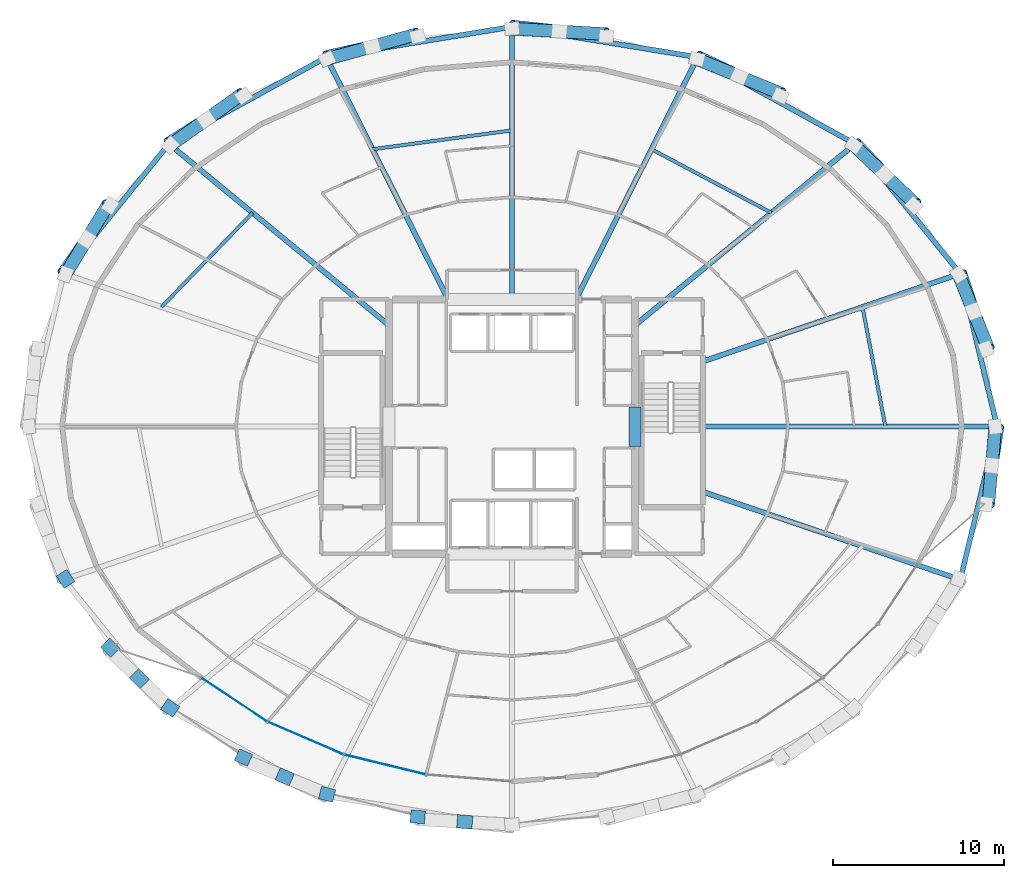
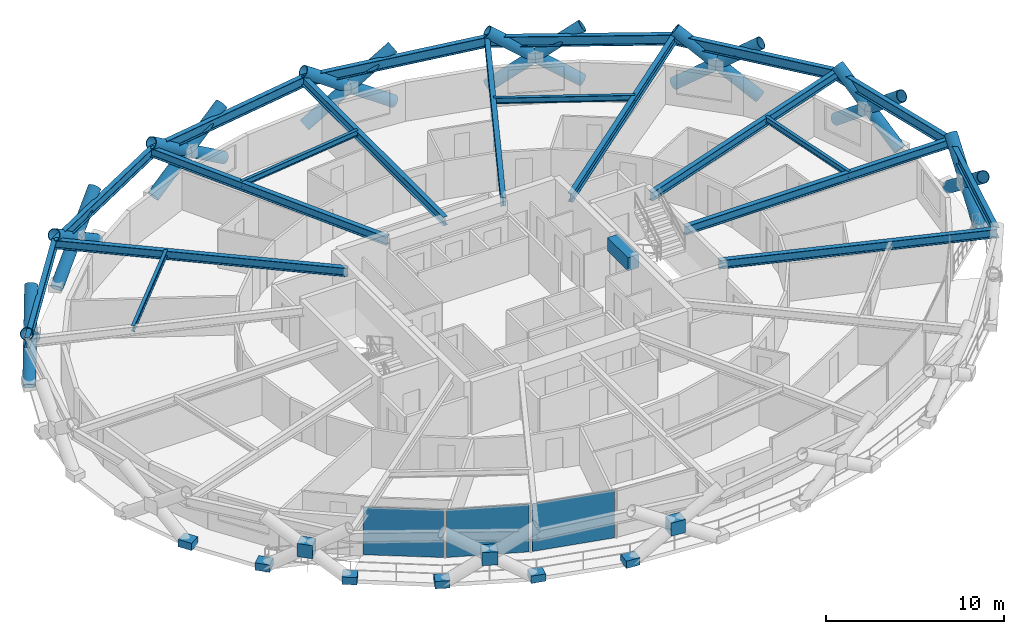
# One storey, part 12 of 20: 24 members, 21 beams, 12 plates, 1 element without a shape of its own.
"""IFC4 building model written with IfcOpenShell, lengths in metres."""

from ifc_helpers import new_model, si_unit, direction, frame, origin, origin_2d, place, context, subcontext, project, spatial, rectangle, hollow_circle, i_section, extrude, material, layer, layer_set, material_profile, profile_set, type_object, element, aggregate, save


model = new_model("IFC4")

# Units and contexts
model_context = context("Model", 3, precision=1e-05, world=origin(), true_north=direction((0.0, 1.0)))
body_context = subcontext(model_context, "Body", "Model", "MODEL_VIEW")
ifc_project = project(units=[si_unit("LENGTHUNIT", "METRE"), si_unit("AREAUNIT", "SQUARE_METRE"), si_unit("VOLUMEUNIT", "CUBIC_METRE"), si_unit("PLANEANGLEUNIT", "RADIAN"), si_unit("MASSUNIT", "GRAM", prefix="KILO")], contexts=[model_context])

# Site, building, storey
site_placement = place(None, origin())
site = spatial("IfcSite", under=ifc_project, at=site_placement, CompositionType="ELEMENT")
building_placement = place(site_placement, origin())
building = spatial("IfcBuilding", under=site, at=building_placement, Name="Veldorina Hangang Commons", CompositionType="ELEMENT")
storey_placement = place(building_placement, frame((0.0, 0.0, 48.39990234375)))
storey = spatial("IfcBuildingStorey", under=building, at=storey_placement, Name="L11", CompositionType="ELEMENT", Elevation=48.39990234375)

# Beams
ifc_material_1 = material(Name="Concrete C70/85", Category="concrete")
ifc_material_profile_1 = material_profile(ifc_material_1, rectangle(XDim=0.699951171875, YDim=0.89990234375, at=origin_2d()), Name="RC-CB-700x900")
ifc_profile_set_1 = profile_set([ifc_material_profile_1], Name="Concrete C70/85")
beam_type_1 = type_object("IfcBeamType", Name="BM-CB900", PredefinedType="LINTEL", material=ifc_profile_set_1)
beam_1_placement = place(storey_placement, frame((39.199951171875, 22.85009765625, 2.89013671875), z_axis=(0.0, 1.0, 0.0), x_axis=(-1.0, 0.0, 0.0)))
element("IfcBeam", 1, at=beam_1_placement, inside=storey, type_object=beam_type_1, Name="L11 E core coupling lintel beam", PredefinedType="LINTEL", context=body_context, shape_type="SweptSolid", body=[
    extrude(rectangle(XDim=0.699951171875, YDim=0.89990234375, at=origin_2d()), origin(), (0.0, 0.0, 1.0), 2.2998046875),
])
ifc_material_2 = material(Name="Steel SM460-TMC", Category="steel")
ifc_material_profile_2 = material_profile(ifc_material_2, i_section(OverallWidth=0.300048828125, OverallDepth=0.587890625, WebThickness=0.011962890625, FlangeThickness=0.02001953125, FilletRadius=0.01806640625, at=origin_2d()), Name="H-588x300x12x20")
ifc_profile_set_2 = profile_set([ifc_material_profile_2], Name="Steel SM460-TMC")
beam_type_2 = type_object("IfcBeamType", Name="BM-FG588", PredefinedType="BEAM", material=ifc_profile_set_2)
beam_2_placement = place(storey_placement, frame((43.179931640625, 24.0, 3.046142578125), z_axis=(1.0, 0.0, 0.0), x_axis=(0.0, 1.0, 0.0)))
element("IfcBeam", 2, at=beam_2_placement, inside=storey, type_object=beam_type_2, Name="L11 radial floor girder 01", PredefinedType="BEAM", context=body_context, shape_type="SweptSolid", body=[
    extrude(i_section(OverallWidth=0.300048828125, OverallDepth=0.587890625, WebThickness=0.011962890625, FlangeThickness=0.02001953125, FilletRadius=0.01806640625, at=origin_2d()), origin(), (0.0, 0.0, 1.0), 17.232177734375),
])
beam_3_placement = place(storey_placement, frame((43.179931640625, 27.81591796875, 3.046142578125), z_axis=(0.946389646678, 0.323027300178, 0.0), x_axis=(-0.323027300178, 0.946389646678, 0.0)))
element("IfcBeam", 3, at=beam_3_placement, inside=storey, type_object=beam_type_2, Name="L11 radial floor girder 02", PredefinedType="BEAM", context=body_context, shape_type="SweptSolid", body=[
    extrude(i_section(OverallWidth=0.300048828125, OverallDepth=0.587890625, WebThickness=0.011962890625, FlangeThickness=0.02001953125, FilletRadius=0.01806640625, at=origin_2d()), origin(), (0.0, 0.0, 1.0), 15.9228515625),
])
beam_4_placement = place(storey_placement, frame((39.199951171875, 29.932861328125, 3.046142578125), z_axis=(0.771747509972, 0.635929069042, 0.0), x_axis=(-0.635929069042, 0.771747509972, 0.0)))
element("IfcBeam", 4, at=beam_4_placement, inside=storey, type_object=beam_type_2, Name="L11 radial floor girder 03", PredefinedType="BEAM", context=body_context, shape_type="SweptSolid", body=[
    extrude(i_section(OverallWidth=0.300048828125, OverallDepth=0.587890625, WebThickness=0.011962890625, FlangeThickness=0.02001953125, FilletRadius=0.01806640625, at=origin_2d()), origin(), (0.0, 0.0, 1.0), 16.702880859375),
])
beam_5_placement = place(storey_placement, frame((35.744873046875, 31.449951171875, 3.046142578125), z_axis=(0.449126234863, 0.893468312341, 0.0), x_axis=(-0.893468312341, 0.449126234863, 0.0)))
element("IfcBeam", 5, at=beam_5_placement, inside=storey, type_object=beam_type_2, Name="L11 radial floor girder 04", PredefinedType="BEAM", context=body_context, shape_type="SweptSolid", body=[
    extrude(i_section(OverallWidth=0.300048828125, OverallDepth=0.587890625, WebThickness=0.011962890625, FlangeThickness=0.02001953125, FilletRadius=0.01806640625, at=origin_2d()), origin(), (0.0, 0.0, 1.0), 15.87060546875),
])
beam_6_placement = place(storey_placement, frame((32.0, 31.449951171875, 3.046142578125), z_axis=(0.0, 1.0, 0.0), x_axis=(-1.0, 0.0, 0.0)))
element("IfcBeam", 6, at=beam_6_placement, inside=storey, type_object=beam_type_2, Name="L11 radial floor girder 05", PredefinedType="BEAM", context=body_context, shape_type="SweptSolid", body=[
    extrude(i_section(OverallWidth=0.300048828125, OverallDepth=0.587890625, WebThickness=0.011962890625, FlangeThickness=0.02001953125, FilletRadius=0.01806640625, at=origin_2d()), origin(), (0.0, 0.0, 1.0), 15.962158203125),
])
beam_7_placement = place(storey_placement, frame((28.255126953125, 31.449951171875, 3.046142578125), z_axis=(-0.449126234863, 0.893468312341, 0.0), x_axis=(-0.893468312341, -0.449126234863, 0.0)))
element("IfcBeam", 7, at=beam_7_placement, inside=storey, type_object=beam_type_2, Name="L11 radial floor girder 06", PredefinedType="BEAM", context=body_context, shape_type="SweptSolid", body=[
    extrude(i_section(OverallWidth=0.300048828125, OverallDepth=0.587890625, WebThickness=0.011962890625, FlangeThickness=0.02001953125, FilletRadius=0.01806640625, at=origin_2d()), origin(), (0.0, 0.0, 1.0), 15.87060546875),
])
beam_8_placement = place(storey_placement, frame((24.800048828125, 29.932861328125, 3.046142578125), z_axis=(-0.771747509972, 0.635929069042, 0.0), x_axis=(-0.635929069042, -0.771747509972, 0.0)))
element("IfcBeam", 8, at=beam_8_placement, inside=storey, type_object=beam_type_2, Name="L11 radial floor girder 07", PredefinedType="BEAM", context=body_context, shape_type="SweptSolid", body=[
    extrude(i_section(OverallWidth=0.300048828125, OverallDepth=0.587890625, WebThickness=0.011962890625, FlangeThickness=0.02001953125, FilletRadius=0.01806640625, at=origin_2d()), origin(), (0.0, 0.0, 1.0), 16.702880859375),
])
beam_9_placement = place(storey_placement, frame((43.179931640625, 20.18408203125, 3.046142578125), z_axis=(0.946389646678, -0.323027300178, 0.0), x_axis=(0.323027300178, 0.946389646678, 0.0)))
element("IfcBeam", 9, at=beam_9_placement, inside=storey, type_object=beam_type_2, Name="L11 radial floor girder 16", PredefinedType="BEAM", context=body_context, shape_type="SweptSolid", body=[
    extrude(i_section(OverallWidth=0.300048828125, OverallDepth=0.587890625, WebThickness=0.011962890625, FlangeThickness=0.02001953125, FilletRadius=0.01806640625, at=origin_2d()), origin(), (0.0, 0.0, 1.0), 15.9228515625),
])
ifc_material_3 = material(Name="Steel SM355-TMC", Category="steel")
ifc_material_profile_3 = material_profile(ifc_material_3, i_section(OverallWidth=0.199951171875, OverallDepth=0.39990234375, WebThickness=0.008056640625, FlangeThickness=0.012939453125, FilletRadius=0.012939453125, at=origin_2d()), Name="H-400x200x8x13")
ifc_profile_set_3 = profile_set([ifc_material_profile_3], Name="Steel SM355-TMC")
beam_type_3 = type_object("IfcBeamType", Name="BM-JST400", PredefinedType="JOIST", material=ifc_profile_set_3)
beam_10_placement = place(storey_placement, frame((53.86376953125, 24.0, 3.14013671875), z_axis=(-0.187999203281, 0.982169180725, 0.0), x_axis=(-0.982169180725, -0.187999203281, 0.0)))
element("IfcBeam", 10, at=beam_10_placement, inside=storey, type_object=beam_type_3, Name="L11 secondary floor joist 01", PredefinedType="JOIST", context=body_context, shape_type="SweptSolid", body=[
    extrude(i_section(OverallWidth=0.199951171875, OverallDepth=0.39990234375, WebThickness=0.008056640625, FlangeThickness=0.012939453125, FilletRadius=0.012939453125, at=origin_2d()), origin(), (0.0, 0.0, 1.0), 7.132080078125),
])
beam_11_placement = place(storey_placement, frame((47.19189453125, 36.5185546875, 3.14013671875), z_axis=(-0.883662434707, 0.468124664473, 0.0), x_axis=(-0.468124664473, -0.883662434707, 0.0)))
element("IfcBeam", 11, at=beam_11_placement, inside=storey, type_object=beam_type_3, Name="L11 secondary floor joist 03", PredefinedType="JOIST", context=body_context, shape_type="SweptSolid", body=[
    extrude(i_section(OverallWidth=0.199951171875, OverallDepth=0.39990234375, WebThickness=0.008056640625, FlangeThickness=0.012939453125, FilletRadius=0.012939453125, at=origin_2d()), origin(), (0.0, 0.0, 1.0), 7.952880859375),
])
beam_12_placement = place(storey_placement, frame((32.0, 41.346435546875, 3.14013671875), z_axis=(-0.990965093647, -0.13412003271, 0.0), x_axis=(0.13412003271, -0.990965093647, 0.0)))
element("IfcBeam", 12, at=beam_12_placement, inside=storey, type_object=beam_type_3, Name="L11 secondary floor joist 05", PredefinedType="JOIST", context=body_context, shape_type="SweptSolid", body=[
    extrude(i_section(OverallWidth=0.199951171875, OverallDepth=0.39990234375, WebThickness=0.008056640625, FlangeThickness=0.012939453125, FilletRadius=0.012939453125, at=origin_2d()), origin(), (0.0, 0.0, 1.0), 8.23876953125),
])
beam_13_placement = place(storey_placement, frame((16.80810546875, 36.5185546875, 3.14013671875), z_axis=(-0.695101080423, -0.718912016866, 0.0), x_axis=(0.718912016866, -0.695101080423, 0.0)))
element("IfcBeam", 13, at=beam_13_placement, inside=storey, type_object=beam_type_3, Name="L11 secondary floor joist 07", PredefinedType="JOIST", context=body_context, shape_type="SweptSolid", body=[
    extrude(i_section(OverallWidth=0.199951171875, OverallDepth=0.39990234375, WebThickness=0.008056640625, FlangeThickness=0.012939453125, FilletRadius=0.012939453125, at=origin_2d()), origin(), (0.0, 0.0, 1.0), 7.66943359375),
])
ifc_material_profile_4 = material_profile(ifc_material_2, i_section(OverallWidth=0.300048828125, OverallDepth=0.699951171875, WebThickness=0.012939453125, FlangeThickness=0.02392578125, FilletRadius=0.02197265625, at=origin_2d()), Name="H-700x300x13x24")
ifc_profile_set_4 = profile_set([ifc_material_profile_4], Name="Steel SM460-TMC")
beam_type_4 = type_object("IfcBeamType", Name="BM-RB700", PredefinedType="BEAM", material=ifc_profile_set_4)
beam_14_placement = place(storey_placement, frame((60.412109375, 24.0, 2.989990234375), z_axis=(-0.234662110802, 0.97207699991, 0.0), x_axis=(-0.97207699991, -0.234662110802, 0.0)))
element("IfcBeam", 14, at=beam_14_placement, inside=storey, type_object=beam_type_4, Name="L11 perimeter hoop ring beam 00", PredefinedType="BEAM", context=body_context, shape_type="SweptSolid", body=[
    extrude(i_section(OverallWidth=0.300048828125, OverallDepth=0.699951171875, WebThickness=0.012939453125, FlangeThickness=0.02392578125, FilletRadius=0.02197265625, at=origin_2d()), origin(), (0.0, 0.0, 1.0), 9.216796875),
])
beam_15_placement = place(storey_placement, frame((58.249267578125, 32.95947265625, 2.989990234375), z_axis=(-0.629842263473, 0.776723067215, 0.0), x_axis=(-0.776723067215, -0.629842263473, 0.0)))
element("IfcBeam", 15, at=beam_15_placement, inside=storey, type_object=beam_type_4, Name="L11 perimeter hoop ring beam 02", PredefinedType="BEAM", context=body_context, shape_type="SweptSolid", body=[
    extrude(i_section(OverallWidth=0.300048828125, OverallDepth=0.699951171875, WebThickness=0.012939453125, FlangeThickness=0.02392578125, FilletRadius=0.02197265625, at=origin_2d()), origin(), (0.0, 0.0, 1.0), 9.778564453125),
])
beam_16_placement = place(storey_placement, frame((52.09033203125, 40.5546875, 2.989990234375), z_axis=(-0.875992923986, 0.482323954544, 0.0), x_axis=(-0.482323954544, -0.875992923986, 0.0)))
element("IfcBeam", 16, at=beam_16_placement, inside=storey, type_object=beam_type_4, Name="L11 perimeter hoop ring beam 04", PredefinedType="BEAM", context=body_context, shape_type="SweptSolid", body=[
    extrude(i_section(OverallWidth=0.300048828125, OverallDepth=0.699951171875, WebThickness=0.012939453125, FlangeThickness=0.02392578125, FilletRadius=0.02197265625, at=origin_2d()), origin(), (0.0, 0.0, 1.0), 10.5224609375),
])
for number, where, z_axis, x_axis, name in (
    (17, (42.872802734375, 45.6298828125, 2.989990234375), (-0.98683056452, 0.161757339643, 0.0), (-0.161757339643, -0.98683056452, 0.0), "L11 perimeter hoop ring beam 06"),
    (18, (32.0, 47.412109375, 2.989990234375), (-0.98683056452, -0.161757339643, 0.0), (0.161757339643, -0.98683056452, 0.0), "L11 perimeter hoop ring beam 08"),
):
    element("IfcBeam", number, at=place(storey_placement, frame(where, z_axis=z_axis, x_axis=x_axis)), inside=storey, type_object=beam_type_4, Name=name, PredefinedType="BEAM", context=body_context, shape_type="SweptSolid", body=[
        extrude(i_section(OverallWidth=0.300048828125, OverallDepth=0.699951171875, WebThickness=0.012939453125, FlangeThickness=0.02392578125, FilletRadius=0.02197265625, at=origin_2d()), origin(), (0.0, 0.0, 1.0), 11.017822265625),
    ])
beam_17_placement = place(storey_placement, frame((21.127197265625, 45.6298828125, 2.989990234375), z_axis=(-0.875992923986, -0.482323954544, 0.0), x_axis=(0.482323954544, -0.875992923986, 0.0)))
element("IfcBeam", 19, at=beam_17_placement, inside=storey, type_object=beam_type_4, Name="L11 perimeter hoop ring beam 10", PredefinedType="BEAM", context=body_context, shape_type="SweptSolid", body=[
    extrude(i_section(OverallWidth=0.300048828125, OverallDepth=0.699951171875, WebThickness=0.012939453125, FlangeThickness=0.02392578125, FilletRadius=0.02197265625, at=origin_2d()), origin(), (0.0, 0.0, 1.0), 10.5224609375),
])
beam_18_placement = place(storey_placement, frame((11.90966796875, 40.5546875, 2.989990234375), z_axis=(-0.629842263473, -0.776723067215, 0.0), x_axis=(0.776723067215, -0.629842263473, 0.0)))
element("IfcBeam", 20, at=beam_18_placement, inside=storey, type_object=beam_type_4, Name="L11 perimeter hoop ring beam 12", PredefinedType="BEAM", context=body_context, shape_type="SweptSolid", body=[
    extrude(i_section(OverallWidth=0.300048828125, OverallDepth=0.699951171875, WebThickness=0.012939453125, FlangeThickness=0.02392578125, FilletRadius=0.02197265625, at=origin_2d()), origin(), (0.0, 0.0, 1.0), 9.778564453125),
])
beam_19_placement = place(storey_placement, frame((58.249267578125, 15.04052734375, 2.989990234375), z_axis=(0.234662110802, 0.97207699991, 0.0), x_axis=(-0.97207699991, 0.234662110802, 0.0)))
element("IfcBeam", 21, at=beam_19_placement, inside=storey, type_object=beam_type_4, Name="L11 perimeter hoop ring beam 30", PredefinedType="BEAM", context=body_context, shape_type="SweptSolid", body=[
    extrude(i_section(OverallWidth=0.300048828125, OverallDepth=0.699951171875, WebThickness=0.012939453125, FlangeThickness=0.02392578125, FilletRadius=0.02197265625, at=origin_2d()), origin(), (0.0, 0.0, 1.0), 9.216796875),
])

# Members
ifc_material_profile_5 = material_profile(ifc_material_2, hollow_circle(Radius=0.375, WallThickness=0.035888671875, at=origin_2d()), Name="CHS-750x36")
ifc_profile_set_5 = profile_set([ifc_material_profile_5], Name="Steel SM460-TMC")
member_type = type_object("IfcMemberType", Name="DG-CHS750", PredefinedType="BRACE", material=ifc_profile_set_5)
member_1_placement = place(storey_placement, frame((59.75439453125, 28.545166015625, 0.0), z_axis=(-0.251769980497, 0.750586923919, 0.610926465757), x_axis=(-0.948085033743, -0.318016931614, 0.0)))
element("IfcMember", 22, at=member_1_placement, inside=storey, type_object=member_type, Name="L11 continuous perimeter diagrid brace 01", PredefinedType="BRACE", context=body_context, shape_type="SweptSolid", body=[
    extrude(hollow_circle(Radius=0.375, WallThickness=0.035888671875, at=origin_2d()), origin(), (0.0, 0.0, 1.0), 5.892822265625),
])
member_2_placement = place(storey_placement, frame((58.143798828125, 32.915771484375, 0.0), z_axis=(0.295780342588, -0.735429172531, 0.609637532579), x_axis=(0.927775245987, 0.373139508675, 0.0)))
element("IfcMember", 23, at=member_2_placement, inside=storey, type_object=member_type, Name="L11 split perimeter diagrid lower brace 02", PredefinedType="BRACE", context=body_context, shape_type="SweptSolid", body=[
    extrude(hollow_circle(Radius=0.375, WallThickness=0.035888671875, at=origin_2d()), origin(), (0.0, 0.0, 1.0), 2.9443359375),
])
member_3_placement = place(storey_placement, frame((59.0146484375, 30.75048828125, 1.794921875), z_axis=(0.295240714308, -0.735669615687, 0.609609003518), x_axis=(0.928052887909, 0.372448435683, 0.0)))
element("IfcMember", 24, at=member_3_placement, inside=storey, type_object=member_type, Name="L11 split perimeter diagrid upper brace 02", PredefinedType="BRACE", context=body_context, shape_type="SweptSolid", body=[
    extrude(hollow_circle(Radius=0.375, WallThickness=0.035888671875, at=origin_2d()), origin(), (0.0, 0.0, 1.0), 2.961181640625),
])
member_4_placement = place(storey_placement, frame((55.52880859375, 36.943603515625, 0.0), z_axis=(-0.556374437556, 0.589795802786, 0.585310512678), x_axis=(-0.727416243704, -0.68619647944, 0.0)))
element("IfcMember", 25, at=member_4_placement, inside=storey, type_object=member_type, Name="L11 continuous perimeter diagrid brace 03", PredefinedType="BRACE", context=body_context, shape_type="SweptSolid", body=[
    extrude(hollow_circle(Radius=0.375, WallThickness=0.035888671875, at=origin_2d()), origin(), (0.0, 0.0, 1.0), 6.150634765625),
])
member_5_placement = place(storey_placement, frame((52.009765625, 40.47412109375, 0.0), z_axis=(0.588973165837, -0.559306369335, 0.583341233881), x_axis=(0.688608283038, 0.72513352738, 0.0)))
element("IfcMember", 26, at=member_5_placement, inside=storey, type_object=member_type, Name="L11 split perimeter diagrid lower brace 04", PredefinedType="BRACE", context=body_context, shape_type="SweptSolid", body=[
    extrude(hollow_circle(Radius=0.375, WallThickness=0.035888671875, at=origin_2d()), origin(), (0.0, 0.0, 1.0), 3.077880859375),
])
member_6_placement = place(storey_placement, frame((53.822509765625, 38.752685546875, 1.79541015625), z_axis=(0.588396181388, -0.55999030432, 0.583267342473), x_axis=(0.68940529231, 0.724375829894, 0.0)))
element("IfcMember", 27, at=member_6_placement, inside=storey, type_object=member_type, Name="L11 split perimeter diagrid upper brace 04", PredefinedType="BRACE", context=body_context, shape_type="SweptSolid", body=[
    extrude(hollow_circle(Radius=0.375, WallThickness=0.035888671875, at=origin_2d()), origin(), (0.0, 0.0, 1.0), 3.093994140625),
])
member_7_placement = place(storey_placement, frame((47.721435546875, 43.37158203125, 0.0), z_axis=(-0.750546410131, 0.353541282173, 0.558290827471), x_axis=(-0.426135452035, -0.904659370437, 0.0)))
element("IfcMember", 28, at=member_7_placement, inside=storey, type_object=member_type, Name="L11 continuous perimeter diagrid brace 05", PredefinedType="BRACE", context=body_context, shape_type="SweptSolid", body=[
    extrude(hollow_circle(Radius=0.375, WallThickness=0.035888671875, at=origin_2d()), origin(), (0.0, 0.0, 1.0), 6.448486328125),
])
member_8_placement = place(storey_placement, frame((42.8291015625, 45.5244140625, 0.0), z_axis=(0.768577086098, -0.315016672109, 0.556824711214), x_axis=(0.379250282371, 0.925294128006, 0.0)))
element("IfcMember", 29, at=member_8_placement, inside=storey, type_object=member_type, Name="L11 split perimeter diagrid lower brace 06", PredefinedType="BRACE", context=body_context, shape_type="SweptSolid", body=[
    extrude(hollow_circle(Radius=0.375, WallThickness=0.035888671875, at=origin_2d()), origin(), (0.0, 0.0, 1.0), 3.224853515625),
])
member_9_placement = place(storey_placement, frame((45.3076171875, 44.508544921875, 1.795654296875), z_axis=(0.76836734604, -0.315633252932, 0.556765005351), x_axis=(0.379974279382, 0.924997052432, 0.0)))
element("IfcMember", 30, at=member_9_placement, inside=storey, type_object=member_type, Name="L11 split perimeter diagrid upper brace 06", PredefinedType="BRACE", context=body_context, shape_type="SweptSolid", body=[
    extrude(hollow_circle(Radius=0.375, WallThickness=0.035888671875, at=origin_2d()), origin(), (0.0, 0.0, 1.0), 3.240966796875),
])
member_10_placement = place(storey_placement, frame((37.520751953125, 46.850341796875, 0.0), z_axis=(-0.834358120113, 0.088405875195, 0.544087243585), x_axis=(-0.105366932888, -0.994433411272, 0.0)))
element("IfcMember", 31, at=member_10_placement, inside=storey, type_object=member_type, Name="L11 continuous perimeter diagrid brace 07", PredefinedType="BRACE", context=body_context, shape_type="SweptSolid", body=[
    extrude(hollow_circle(Radius=0.375, WallThickness=0.035888671875, at=origin_2d()), origin(), (0.0, 0.0, 1.0), 6.61669921875),
])
member_11_placement = place(storey_placement, frame((32.0, 47.298095703125, 0.0), z_axis=(0.837882351105, -0.047238999678, 0.543802944656), x_axis=(0.056289646489, 0.998414480914, 0.0)))
element("IfcMember", 32, at=member_11_placement, inside=storey, type_object=member_type, Name="L11 split perimeter diagrid lower brace 08", PredefinedType="BRACE", context=body_context, shape_type="SweptSolid", body=[
    extrude(hollow_circle(Radius=0.375, WallThickness=0.035888671875, at=origin_2d()), origin(), (0.0, 0.0, 1.0), 3.302490234375),
])
member_12_placement = place(storey_placement, frame((34.76708984375, 47.14208984375, 1.7958984375), z_axis=(0.837911750448, -0.047384542263, 0.543744980313), x_axis=(0.056460547171, 0.998404831025, 0.0)))
element("IfcMember", 33, at=member_12_placement, inside=storey, type_object=member_type, Name="L11 split perimeter diagrid upper brace 08", PredefinedType="BRACE", context=body_context, shape_type="SweptSolid", body=[
    extrude(hollow_circle(Radius=0.375, WallThickness=0.035888671875, at=origin_2d()), origin(), (0.0, 0.0, 1.0), 3.318115234375),
])
member_13_placement = place(storey_placement, frame((26.479248046875, 46.850341796875, 0.0), z_axis=(-0.816222633408, -0.182551660109, 0.548138216242), x_axis=(0.218261992138, -0.975890210417, 0.0)))
element("IfcMember", 34, at=member_13_placement, inside=storey, type_object=member_type, Name="L11 continuous perimeter diagrid brace 09", PredefinedType="BRACE", context=body_context, shape_type="SweptSolid", body=[
    extrude(hollow_circle(Radius=0.375, WallThickness=0.035888671875, at=origin_2d()), origin(), (0.0, 0.0, 1.0), 6.56787109375),
])
member_14_placement = place(storey_placement, frame((21.1708984375, 45.5244140625, 0.0), z_axis=(0.805594520028, 0.222544459661, 0.549082355185), x_axis=(-0.266275321823, 0.963897013684, 0.0)))
element("IfcMember", 35, at=member_14_placement, inside=storey, type_object=member_type, Name="L11 split perimeter diagrid lower brace 10", PredefinedType="BRACE", context=body_context, shape_type="SweptSolid", body=[
    extrude(hollow_circle(Radius=0.375, WallThickness=0.035888671875, at=origin_2d()), origin(), (0.0, 0.0, 1.0), 3.270263671875),
])
member_15_placement = place(storey_placement, frame((23.805419921875, 46.252197265625, 1.795654296875), z_axis=(0.805501084822, 0.222937264184, 0.5490600865), x_axis=(-0.266740644841, 0.963768347888, 0.0)))
element("IfcMember", 36, at=member_15_placement, inside=storey, type_object=member_type, Name="L11 split perimeter diagrid upper brace 10", PredefinedType="BRACE", context=body_context, shape_type="SweptSolid", body=[
    extrude(hollow_circle(Radius=0.375, WallThickness=0.035888671875, at=origin_2d()), origin(), (0.0, 0.0, 1.0), 3.286376953125),
])
member_16_placement = place(storey_placement, frame((16.278564453125, 43.37158203125, 0.0), z_axis=(-0.693085453807, -0.442583796636, 0.568992211438), x_axis=(0.538198591729, -0.842818056202, 0.0)))
element("IfcMember", 37, at=member_16_placement, inside=storey, type_object=member_type, Name="L11 continuous perimeter diagrid brace 11", PredefinedType="BRACE", context=body_context, shape_type="SweptSolid", body=[
    extrude(hollow_circle(Radius=0.375, WallThickness=0.035888671875, at=origin_2d()), origin(), (0.0, 0.0, 1.0), 6.3271484375),
])
member_17_placement = place(storey_placement, frame((11.990234375, 40.47412109375, 0.0), z_axis=(0.668113924161, 0.477235320755, 0.57085044711), x_axis=(-0.581247136891, 0.813727083153, 0.0)))
element("IfcMember", 38, at=member_17_placement, inside=storey, type_object=member_type, Name="L11 split perimeter diagrid lower brace 12", PredefinedType="BRACE", context=body_context, shape_type="SweptSolid", body=[
    extrude(hollow_circle(Radius=0.375, WallThickness=0.035888671875, at=origin_2d()), origin(), (0.0, 0.0, 1.0), 3.145263671875),
])
member_18_placement = place(storey_placement, frame((14.091552734375, 41.97509765625, 1.79541015625), z_axis=(0.667658827113, 0.477825929826, 0.570888843264), x_axis=(-0.581985390652, 0.813199240696, 0.0)))
element("IfcMember", 39, at=member_18_placement, inside=storey, type_object=member_type, Name="L11 split perimeter diagrid upper brace 12", PredefinedType="BRACE", context=body_context, shape_type="SweptSolid", body=[
    extrude(hollow_circle(Radius=0.375, WallThickness=0.035888671875, at=origin_2d()), origin(), (0.0, 0.0, 1.0), 3.1611328125),
])
member_19_placement = place(storey_placement, frame((8.47119140625, 36.943603515625, 0.0), z_axis=(-0.45520925237, -0.659974379516, 0.597677467318), x_axis=(0.823181009759, -0.567779028472, 0.0)))
element("IfcMember", 40, at=member_19_placement, inside=storey, type_object=member_type, Name="L11 continuous perimeter diagrid brace 13", PredefinedType="BRACE", context=body_context, shape_type="SweptSolid", body=[
    extrude(hollow_circle(Radius=0.375, WallThickness=0.035888671875, at=origin_2d()), origin(), (0.0, 0.0, 1.0), 6.0234375),
])
member_20_placement = place(storey_placement, frame((5.856201171875, 32.915771484375, 0.0), z_axis=(0.416760848607, 0.683239904221, 0.599577875133), x_axis=(-0.853712216066, 0.520745093246, 0.0)))
element("IfcMember", 41, at=member_20_placement, inside=storey, type_object=member_type, Name="L11 split perimeter diagrid lower brace 14", PredefinedType="BRACE", context=body_context, shape_type="SweptSolid", body=[
    extrude(hollow_circle(Radius=0.375, WallThickness=0.035888671875, at=origin_2d()), origin(), (0.0, 0.0, 1.0), 2.994140625),
])
member_21_placement = place(storey_placement, frame((7.10400390625, 34.96142578125, 1.795166015625), z_axis=(0.416133570395, 0.683717510828, 0.599469112613), x_axis=(-0.85422203006, 0.519908379775, 0.0)))
element("IfcMember", 42, at=member_21_placement, inside=storey, type_object=member_type, Name="L11 split perimeter diagrid upper brace 14", PredefinedType="BRACE", context=body_context, shape_type="SweptSolid", body=[
    extrude(hollow_circle(Radius=0.375, WallThickness=0.035888671875, at=origin_2d()), origin(), (0.0, 0.0, 1.0), 3.010986328125),
])
member_22_placement = place(storey_placement, frame((59.75439453125, 19.454833984375, 0.0), z_axis=(0.116632736855, 0.778541291514, 0.616660572845), x_axis=(-0.988964000441, 0.148156018544, 0.0)))
element("IfcMember", 43, at=member_22_placement, inside=storey, type_object=member_type, Name="L11 continuous perimeter diagrid brace 31", PredefinedType="BRACE", context=body_context, shape_type="SweptSolid", body=[
    extrude(hollow_circle(Radius=0.375, WallThickness=0.035888671875, at=origin_2d()), origin(), (0.0, 0.0, 1.0), 5.838134765625),
])
member_23_placement = place(storey_placement, frame((60.298095703125, 24.0, 0.0), z_axis=(-0.07026455525, -0.783739411963, 0.617102444017), x_axis=(0.996005239024, -0.089294814167, 0.0)))
element("IfcMember", 44, at=member_23_placement, inside=storey, type_object=member_type, Name="L11 split perimeter diagrid lower brace 00", PredefinedType="BRACE", context=body_context, shape_type="SweptSolid", body=[
    extrude(hollow_circle(Radius=0.375, WallThickness=0.035888671875, at=origin_2d()), origin(), (0.0, 0.0, 1.0), 2.908203125),
])
member_24_placement = place(storey_placement, frame((60.09375, 21.720703125, 1.794677734375), z_axis=(-0.070018650409, -0.783724846233, 0.617148891267), x_axis=(0.996032838572, -0.088986428662, 0.0)))
element("IfcMember", 45, at=member_24_placement, inside=storey, type_object=member_type, Name="L11 split perimeter diagrid upper brace 00", PredefinedType="BRACE", context=body_context, shape_type="SweptSolid", body=[
    extrude(hollow_circle(Radius=0.375, WallThickness=0.035888671875, at=origin_2d()), origin(), (0.0, 0.0, 1.0), 2.925537109375),
])

# Curtain wall, plates
ifc_material_4 = material(Name="Glass Low-E Triple IGU", Category="glass")
ifc_layer_1 = layer(ifc_material_4, 0.179931640625)
ifc_layer_set_1 = layer_set([ifc_layer_1], Name="Glass Low-E Triple IGU")
curtain_wall_type = type_object("IfcCurtainWallType", Name="CW-SYS-Z1", PredefinedType="NOTDEFINED", material=ifc_layer_set_1)
curtain_wall_placement = place(storey_placement, origin())
curtain_wall = element("IfcCurtainWall", 46, at=curtain_wall_placement, inside=storey, type_object=curtain_wall_type, Name="L11 unitised curtain wall CW-L11-R1", PredefinedType="NOTDEFINED")
ifc_layer_2 = layer(ifc_material_4, 0.0400390625)
ifc_layer_set_2 = layer_set([ifc_layer_2], Name="Glass Low-E Triple IGU")
plate_type_1 = type_object("IfcPlateType", Name="CW-PNL-VIS", PredefinedType="CURTAIN_PANEL", material=ifc_layer_set_2)
plate_1_placement = place(storey_placement, frame((15.725341796875, 8.015625, 0.01513671875), z_axis=(0.0, 0.0, 1.0), x_axis=(0.834039919434, -0.551704098944, 0.0)))
plate_1 = element("IfcPlate", 47, at=plate_1_placement, type_object=plate_type_1, Name="CW-L11-R1 facet 1 glazed vision panel", PredefinedType="CURTAIN_PANEL", context=body_context, shape_type="SweptSolid", body=[
    extrude(rectangle(XDim=4.503662109375, YDim=0.0400390625, at=origin_2d()), origin(), (0.0, 0.0, 1.0), 3.27001953125),
])
plate_2_placement = place(storey_placement, frame((19.90673828125, 5.763671875, 0.01513671875), z_axis=(0.0, 0.0, 1.0), x_axis=(0.91839114382, -0.395673738014, 0.0)))
plate_2 = element("IfcPlate", 48, at=plate_2_placement, type_object=plate_type_1, Name="CW-L11-R1 facet 2 glazed vision panel", PredefinedType="CURTAIN_PANEL", context=body_context, shape_type="SweptSolid", body=[
    extrude(rectangle(XDim=4.672607421875, YDim=0.0400390625, at=origin_2d()), origin(), (0.0, 0.0, 1.0), 3.27001953125),
])
plate_3_placement = place(storey_placement, frame((24.552978515625, 4.21240234375, 0.01513671875), z_axis=(0.0, 0.0, 1.0), x_axis=(0.971383539033, -0.237516357534, 0.0)))
plate_3 = element("IfcPlate", 49, at=plate_3_placement, type_object=plate_type_1, Name="CW-L11-R1 facet 3 glazed vision panel", PredefinedType="CURTAIN_PANEL", context=body_context, shape_type="SweptSolid", body=[
    extrude(rectangle(XDim=4.79833984375, YDim=0.0400390625, at=origin_2d()), origin(), (0.0, 0.0, 1.0), 3.27001953125),
])
aggregate(curtain_wall, [plate_1, plate_2, plate_3])

# Plates
ifc_layer_3 = layer(ifc_material_2, 0.035888671875)
ifc_layer_set_3 = layer_set([ifc_layer_3], Name="Steel SM460-TMC")
plate_type_2 = type_object("IfcPlateType", Name="PL-STAR-36", PredefinedType="USERDEFINED", material=ifc_layer_set_3)
for number, where, z_axis, x_axis, name in (
    (50, (5.856201171875, 15.084228515625, -0.08984375), (0.0, 0.0, 1.0), (0.544536568011, -0.838737101897, 0.0), "L11 diagrid star-node gusset plate 18"),
    (51, (8.47119140625, 11.056396484375, -0.08984375), (0.0, 0.0, 1.0), (0.705970466697, -0.708241272556, 0.0), "L11 diagrid star-node gusset plate 19"),
):
    element("IfcPlate", number, at=place(storey_placement, frame(where, z_axis=z_axis, x_axis=x_axis)), inside=storey, type_object=plate_type_2, Name=name, ObjectType="GUSSET PLATE", PredefinedType="USERDEFINED", context=body_context, shape_type="SweptSolid", body=[
        extrude(rectangle(XDim=0.85009765625, YDim=0.75, at=origin_2d()), origin(), (0.0, 0.0, 1.0), 0.5),
    ])
plate_4_placement = place(storey_placement, frame((10.177490234375, 9.247314453125, 1.345458984375), z_axis=(0.0, 0.0, 1.0), x_axis=(0.705970466697, -0.708241272556, 0.0)))
element("IfcPlate", 52, at=plate_4_placement, inside=storey, type_object=plate_type_2, Name="L11 diagrid X-crossing star-node gusset plate 19", ObjectType="GUSSET PLATE", PredefinedType="USERDEFINED", context=body_context, shape_type="SweptSolid", body=[
    extrude(rectangle(XDim=0.89990234375, YDim=0.780029296875, at=origin_2d()), origin(), (0.0, 0.0, 1.0), 0.89990234375),
])
for number, where, z_axis, x_axis, name in (
    (53, (11.990234375, 7.52587890625, -0.08984375), (0.0, 0.0, 1.0), (0.82858835658, -0.559858317202, 0.0), "L11 diagrid star-node gusset plate 20"),
    (54, (16.278564453125, 4.62841796875, -0.08984375), (0.0, 0.0, 1.0), (0.91529742005, -0.402778640011, 0.0), "L11 diagrid star-node gusset plate 21"),
):
    element("IfcPlate", number, at=place(storey_placement, frame(where, z_axis=z_axis, x_axis=x_axis)), inside=storey, type_object=plate_type_2, Name=name, ObjectType="GUSSET PLATE", PredefinedType="USERDEFINED", context=body_context, shape_type="SweptSolid", body=[
        extrude(rectangle(XDim=0.85009765625, YDim=0.75, at=origin_2d()), origin(), (0.0, 0.0, 1.0), 0.5),
    ])
plate_5_placement = place(storey_placement, frame((18.6923828125, 3.491455078125, 1.345703125), z_axis=(0.0, 0.0, 1.0), x_axis=(0.91529742005, -0.402778640011, 0.0)))
element("IfcPlate", 55, at=plate_5_placement, inside=storey, type_object=plate_type_2, Name="L11 diagrid X-crossing star-node gusset plate 21", ObjectType="GUSSET PLATE", PredefinedType="USERDEFINED", context=body_context, shape_type="SweptSolid", body=[
    extrude(rectangle(XDim=0.89990234375, YDim=0.780029296875, at=origin_2d()), origin(), (0.0, 0.0, 1.0), 0.89990234375),
])
for number, where, z_axis, x_axis, name in (
    (56, (21.1708984375, 2.4755859375, -0.08984375), (0.0, 0.0, 1.0), (0.970198534428, -0.242311377765, 0.0), "L11 diagrid star-node gusset plate 22"),
    (57, (26.479248046875, 1.149658203125, -0.08984375), (0.0, 0.0, 1.0), (0.996728291233, -0.080825203097, 0.0), "L11 diagrid star-node gusset plate 23"),
):
    element("IfcPlate", number, at=place(storey_placement, frame(where, z_axis=z_axis, x_axis=x_axis)), inside=storey, type_object=plate_type_2, Name=name, ObjectType="GUSSET PLATE", PredefinedType="USERDEFINED", context=body_context, shape_type="SweptSolid", body=[
        extrude(rectangle(XDim=0.85009765625, YDim=0.75, at=origin_2d()), origin(), (0.0, 0.0, 1.0), 0.5),
    ])
plate_6_placement = place(storey_placement, frame((29.23291015625, 0.85791015625, 1.345947265625), z_axis=(0.0, 0.0, 1.0), x_axis=(0.996728291233, -0.080825203097, 0.0)))
element("IfcPlate", 58, at=plate_6_placement, inside=storey, type_object=plate_type_2, Name="L11 diagrid X-crossing star-node gusset plate 23", ObjectType="GUSSET PLATE", PredefinedType="USERDEFINED", context=body_context, shape_type="SweptSolid", body=[
    extrude(rectangle(XDim=0.89990234375, YDim=0.780029296875, at=origin_2d()), origin(), (0.0, 0.0, 1.0), 0.89990234375),
])

save(model, "model.ifc")
